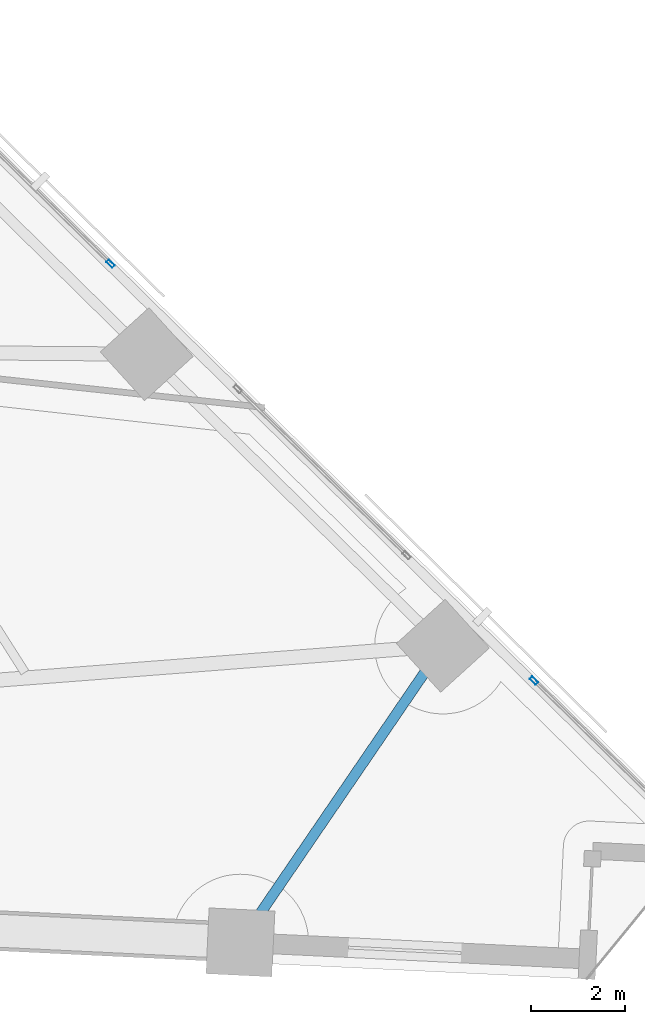
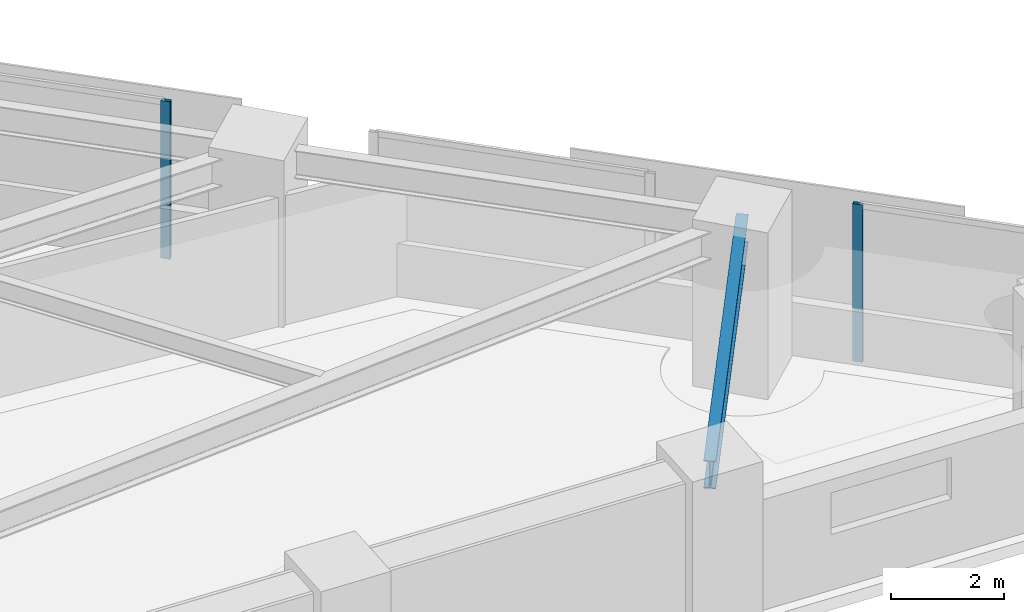
# One storey, part 4 of 17: 2 members, 1 beam, 2 elements without a shape of their own.
"""IFC4 building model written with IfcOpenShell, lengths in metres."""

from ifc_helpers import new_model, si_unit, direction, frame, origin, origin_2d, place, context, subcontext, project, spatial, hollow_rectangle, i_section, extrude, material, material_profile, profile_set, type_object, element, aggregate, save


model = new_model("IFC4")

# Units and contexts
model_context = context("Model", 3, precision=1e-05, world=origin(), true_north=direction((0.0, 1.0)))
body_context = subcontext(model_context, "Body", "Model", "MODEL_VIEW")
ifc_project = project(units=[si_unit("LENGTHUNIT", "METRE"), si_unit("AREAUNIT", "SQUARE_METRE"), si_unit("VOLUMEUNIT", "CUBIC_METRE"), si_unit("PLANEANGLEUNIT", "RADIAN"), si_unit("MASSUNIT", "GRAM", prefix="KILO")], contexts=[model_context])

# Site, building, storey
site_placement = place(None, origin())
site = spatial("IfcSite", under=ifc_project, at=site_placement, CompositionType="ELEMENT")
building_placement = place(site_placement, origin())
building = spatial("IfcBuilding", under=site, at=building_placement, Name="Narakoshi Arena Tower", CompositionType="ELEMENT")
storey_placement = place(building_placement, frame((0.0, 0.0, 48.300048828125)))
storey = spatial("IfcBuildingStorey", under=building, at=storey_placement, Name="L12", CompositionType="ELEMENT", Elevation=48.300048828125)

# Beam
ifc_material_1 = material(Name="Structural steel S355J2", Category="steel")
ifc_material_profile_1 = material_profile(ifc_material_1, i_section(OverallWidth=0.219970703125, OverallDepth=0.60009765625, WebThickness=0.011962890625, FlangeThickness=0.01904296875, FilletRadius=0.02392578125, at=origin_2d()), Name="IPE600")
ifc_profile_set_1 = profile_set([ifc_material_profile_1], Name="Structural steel S355J2")
beam_type = type_object("IfcBeamType", Name="BM-EDGE-600", PredefinedType="BEAM", material=ifc_profile_set_1)
beam_placement = place(storey_placement, frame((110.636474609375, 30.661865234375, 3.099853515625), z_axis=(0.563755333308, 0.825941840668, 0.0), x_axis=(-0.825941840668, 0.563755333308, 0.0)))
element("IfcBeam", 1, at=beam_placement, inside=storey, type_object=beam_type, Name="L12 Perimeter Edge Girder 04", PredefinedType="BEAM", context=body_context, shape_type="SweptSolid", body=[
    extrude(i_section(OverallWidth=0.219970703125, OverallDepth=0.60009765625, WebThickness=0.011962890625, FlangeThickness=0.01904296875, FilletRadius=0.02392578125, at=origin_2d()), origin(), (0.0, 0.0, 1.0), 7.637451171875),
])

# Curtain wall, member
ifc_material_2 = material(Name="Anodised bronze aluminium 6063-T6", Category="aluminium")
curtain_wall_type = type_object("IfcCurtainWallType", Name="CW-HYP-LOW", PredefinedType="NOTDEFINED", material=ifc_material_2)
curtain_wall_1_placement = place(storey_placement, origin())
curtain_wall_1 = element("IfcCurtainWall", 2, at=curtain_wall_1_placement, inside=storey, type_object=curtain_wall_type, Name="L12 Folded Hypotenuse Curtain Wall 1-1", PredefinedType="NOTDEFINED")
ifc_material_profile_2 = material_profile(ifc_material_2, hollow_rectangle(XDim=0.074951171875, YDim=0.179931640625, WallThickness=0.00390625, OuterFilletRadius=0.0048828125, at=origin_2d()), Name="MUL180x75x4")
ifc_profile_set_2 = profile_set([ifc_material_profile_2], Name="Anodised bronze aluminium 6063-T6")
member_type = type_object("IfcMemberType", Name="MEM-MUL-180", PredefinedType="MULLION", material=ifc_profile_set_2)
member_1_placement = place(storey_placement, frame((116.87744140625, 36.229248046875, 0.0), z_axis=(0.0, 0.0, 1.0), x_axis=(-0.701630192894, -0.712541277695, 0.0)))
member_1 = element("IfcMember", 3, at=member_1_placement, type_object=member_type, Name="CW-01 mullion 2", PredefinedType="MULLION", context=body_context, shape_type="SweptSolid", body=[
    extrude(hollow_rectangle(XDim=0.074951171875, YDim=0.179931640625, WallThickness=0.00390625, OuterFilletRadius=0.0048828125, at=origin_2d()), origin(), (0.0, 0.0, 1.0), 3.39990234375),
])
aggregate(curtain_wall_1, [member_1])

curtain_wall_2_placement = place(storey_placement, origin())
curtain_wall_2 = element("IfcCurtainWall", 4, at=curtain_wall_2_placement, inside=storey, type_object=curtain_wall_type, Name="L12 Folded Hypotenuse Curtain Wall 1-3", PredefinedType="NOTDEFINED")
member_2_placement = place(storey_placement, frame((107.872802734375, 45.095947265625, 0.0), z_axis=(0.0, 0.0, 1.0), x_axis=(-0.701632802488, -0.712538708053, 0.0)))
member_2 = element("IfcMember", 5, at=member_2_placement, type_object=member_type, Name="CW-01 mullion 1", PredefinedType="MULLION", context=body_context, shape_type="SweptSolid", body=[
    extrude(hollow_rectangle(XDim=0.074951171875, YDim=0.179931640625, WallThickness=0.00390625, OuterFilletRadius=0.0048828125, at=origin_2d()), origin(), (0.0, 0.0, 1.0), 3.39990234375),
])
aggregate(curtain_wall_2, [member_2])

save(model, "model.ifc")
